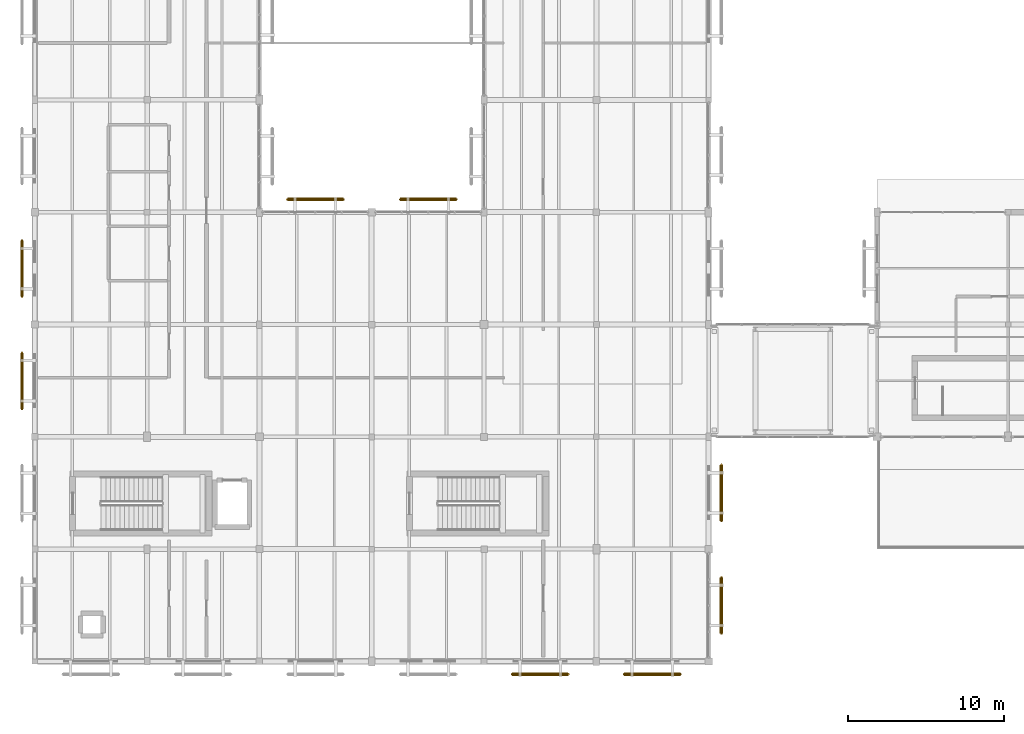
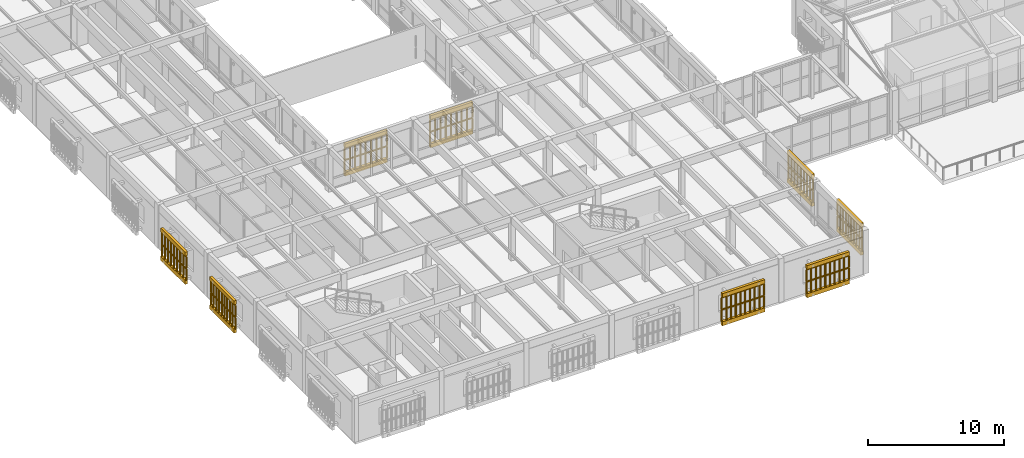
# One storey, part 97 of 112: 16 coverings, 16 railings.
"""IFC4 building model written with IfcOpenShell, lengths in metres."""

from ifc_helpers import new_model, si_unit, direction, frame, origin, origin_2d, place, context, subcontext, project, spatial, polyline, circle, outline, extrude, material, layer, layer_set, type_object, element, save


model = new_model("IFC4")

# Units and contexts
model_context = context("Model", 3, precision=1e-05, world=origin(), true_north=direction((0.0, 1.0)))
body_context = subcontext(model_context, "Body", "Model", "MODEL_VIEW")
ifc_project = project(units=[si_unit("LENGTHUNIT", "METRE"), si_unit("AREAUNIT", "SQUARE_METRE"), si_unit("VOLUMEUNIT", "CUBIC_METRE"), si_unit("PLANEANGLEUNIT", "RADIAN"), si_unit("MASSUNIT", "GRAM", prefix="KILO")], contexts=[model_context])

# Site, building, storey
site_placement = place(None, origin())
site = spatial("IfcSite", under=ifc_project, at=site_placement, CompositionType="ELEMENT")
building_placement = place(site_placement, origin())
building = spatial("IfcBuilding", under=site, at=building_placement, Name="Mazaris Harbour Polytechnic", CompositionType="ELEMENT")
storey_placement = place(building_placement, frame((0.0, 0.0, 13.800048828125)))
storey = spatial("IfcBuildingStorey", under=building, at=storey_placement, Name="L03", CompositionType="ELEMENT", Elevation=13.800048828125)

# Railings
ifc_material_1 = material(Name="Perforated Earth-Coloured Terracotta Block", Category="masonry")
railing_type = type_object("IfcRailingType", Name="Perforated Earth-Block Claustra Lattice 1040", PredefinedType="BALUSTRADE", material=ifc_material_1)
for number, where, name in (
    (1, (34.195068359375, 6.3798828125, 0.52001953125), "V4 L03 Lower Perforated Terracotta Block Screen 251"),
    (2, (34.195068359375, 6.3798828125, 1.60986328125), "V4 L03 Upper Perforated Terracotta Block Screen 251"),
    (3, (41.385009765625, 6.3798828125, 0.52001953125), "V4 L03 Lower Perforated Terracotta Block Screen 252"),
    (4, (41.385009765625, 6.3798828125, 1.60986328125), "V4 L03 Upper Perforated Terracotta Block Screen 252"),
):
    element("IfcRailing", number, at=place(storey_placement, frame(where)), inside=storey, type_object=railing_type, Name=name, PredefinedType="BALUSTRADE", context=body_context, shape_type="SweptSolid", body=[
        extrude(circle(Radius=0.06982421875, at=origin_2d()), frame((0.0, 0.0, 1.02001953125), z_axis=(-1.0, 0.0, 0.0), x_axis=(0.0, -1.0, 0.0)), (0.0, 0.0, 1.0), 3.60009765625),
        extrude(circle(Radius=0.074951171875, at=origin_2d()), origin(), (0.0, 0.0, 1.0), 0.9501953125),
        extrude(circle(Radius=0.074951171875, at=origin_2d()), frame((-0.39990234375, 0.0, 0.0)), (0.0, 0.0, 1.0), 0.9501953125),
        extrude(circle(Radius=0.074951171875, at=origin_2d()), frame((-0.800048828125, 0.0, 0.0)), (0.0, 0.0, 1.0), 0.9501953125),
        extrude(circle(Radius=0.074951171875, at=origin_2d()), frame((-1.199951171875, 0.0, 0.0)), (0.0, 0.0, 1.0), 0.9501953125),
        extrude(circle(Radius=0.074951171875, at=origin_2d()), frame((-1.60009765625, 0.0, 0.0)), (0.0, 0.0, 1.0), 0.9501953125),
        extrude(circle(Radius=0.074951171875, at=origin_2d()), frame((-2.0, 0.0, 0.0)), (0.0, 0.0, 1.0), 0.9501953125),
        extrude(circle(Radius=0.074951171875, at=origin_2d()), frame((-2.400146484375, 0.0, 0.0)), (0.0, 0.0, 1.0), 0.9501953125),
        extrude(circle(Radius=0.074951171875, at=origin_2d()), frame((-2.800048828125, 0.0, 0.0)), (0.0, 0.0, 1.0), 0.9501953125),
        extrude(circle(Radius=0.074951171875, at=origin_2d()), frame((-3.2001953125, 0.0, 0.0)), (0.0, 0.0, 1.0), 0.9501953125),
        extrude(circle(Radius=0.074951171875, at=origin_2d()), frame((-3.60009765625, 0.0, 0.0)), (0.0, 0.0, 1.0), 0.9501953125),
    ])
for number, where, name in (
    (5, (-0.820068359375, 23.389892578125, 0.52001953125), "V4 L03 Lower Perforated Terracotta Block Screen 261"),
    (6, (-0.820068359375, 23.389892578125, 1.60986328125), "V4 L03 Upper Perforated Terracotta Block Screen 261"),
):
    element("IfcRailing", number, at=place(storey_placement, frame(where)), inside=storey, type_object=railing_type, Name=name, PredefinedType="BALUSTRADE", context=body_context, shape_type="SweptSolid", body=[
        extrude(circle(Radius=0.06982421875, at=origin_2d()), frame((0.0, 0.0, 1.02001953125), z_axis=(0.0, 1.0, 0.0), x_axis=(-1.0, 0.0, 0.0)), (0.0, 0.0, 1.0), 3.60009765625),
        extrude(circle(Radius=0.074951171875, at=origin_2d()), origin(), (0.0, 0.0, 1.0), 0.9501953125),
        extrude(circle(Radius=0.074951171875, at=origin_2d()), frame((0.0, 0.39990234375, 0.0)), (0.0, 0.0, 1.0), 0.9501953125),
        extrude(circle(Radius=0.074951171875, at=origin_2d()), frame((0.0, 0.800048828125, 0.0)), (0.0, 0.0, 1.0), 0.9501953125),
        extrude(circle(Radius=0.074951171875, at=origin_2d()), frame((0.0, 1.199951171875, 0.0)), (0.0, 0.0, 1.0), 0.9501953125),
        extrude(circle(Radius=0.074951171875, at=origin_2d()), frame((0.0, 1.60009765625, 0.0)), (0.0, 0.0, 1.0), 0.9501953125),
        extrude(circle(Radius=0.074951171875, at=origin_2d()), frame((0.0, 2.0, 0.0)), (0.0, 0.0, 1.0), 0.9501953125),
        extrude(circle(Radius=0.074951171875, at=origin_2d()), frame((0.0, 2.400146484375, 0.0)), (0.0, 0.0, 1.0), 0.9501953125),
        extrude(circle(Radius=0.074951171875, at=origin_2d()), frame((0.0, 2.800048828125, 0.0)), (0.0, 0.0, 1.0), 0.9501953125),
        extrude(circle(Radius=0.074951171875, at=origin_2d()), frame((0.0, 3.2001953125, 0.0)), (0.0, 0.0, 1.0), 0.9501953125),
        extrude(circle(Radius=0.074951171875, at=origin_2d()), frame((0.0, 3.60009765625, 0.0)), (0.0, 0.0, 1.0), 0.9501953125),
    ])
for number, where, name in (
    (7, (-0.820068359375, 30.590087890625, 0.52001953125), "V4 L03 Lower Perforated Terracotta Block Screen 262"),
    (8, (-0.820068359375, 30.590087890625, 1.60986328125), "V4 L03 Upper Perforated Terracotta Block Screen 262"),
):
    element("IfcRailing", number, at=place(storey_placement, frame(where)), inside=storey, type_object=railing_type, Name=name, PredefinedType="BALUSTRADE", context=body_context, shape_type="SweptSolid", body=[
        extrude(circle(Radius=0.06982421875, at=origin_2d()), frame((0.0, 0.0, 1.02001953125), z_axis=(0.0, 1.0, 0.0), x_axis=(-1.0, 0.0, 0.0)), (0.0, 0.0, 1.0), 3.599853515625),
        extrude(circle(Radius=0.074951171875, at=origin_2d()), origin(), (0.0, 0.0, 1.0), 0.9501953125),
        extrude(circle(Radius=0.074951171875, at=origin_2d()), frame((0.0, 0.449951171875, 0.0)), (0.0, 0.0, 1.0), 0.9501953125),
        extrude(circle(Radius=0.074951171875, at=origin_2d()), frame((0.0, 0.89990234375, 0.0)), (0.0, 0.0, 1.0), 0.9501953125),
        extrude(circle(Radius=0.074951171875, at=origin_2d()), frame((0.0, 1.349853515625, 0.0)), (0.0, 0.0, 1.0), 0.9501953125),
        extrude(circle(Radius=0.074951171875, at=origin_2d()), frame((0.0, 1.7998046875, 0.0)), (0.0, 0.0, 1.0), 0.9501953125),
        extrude(circle(Radius=0.074951171875, at=origin_2d()), frame((0.0, 2.25, 0.0)), (0.0, 0.0, 1.0), 0.9501953125),
        extrude(circle(Radius=0.074951171875, at=origin_2d()), frame((0.0, 2.699951171875, 0.0)), (0.0, 0.0, 1.0), 0.9501953125),
        extrude(circle(Radius=0.074951171875, at=origin_2d()), frame((0.0, 3.14990234375, 0.0)), (0.0, 0.0, 1.0), 0.9501953125),
        extrude(circle(Radius=0.074951171875, at=origin_2d()), frame((0.0, 3.599853515625, 0.0)), (0.0, 0.0, 1.0), 0.9501953125),
    ])
for number, where, name in (
    (9, (44.02001953125, 12.590087890625, 0.52001953125), "V4 L03 Lower Perforated Terracotta Block Screen 271"),
    (10, (44.02001953125, 12.590087890625, 1.60986328125), "V4 L03 Upper Perforated Terracotta Block Screen 271"),
):
    element("IfcRailing", number, at=place(storey_placement, frame(where)), inside=storey, type_object=railing_type, Name=name, PredefinedType="BALUSTRADE", context=body_context, shape_type="SweptSolid", body=[
        extrude(circle(Radius=0.06982421875, at=origin_2d()), frame((0.0, 0.0, 1.02001953125), z_axis=(0.0, -1.0, 0.0), x_axis=(1.0, 0.0, 0.0)), (0.0, 0.0, 1.0), 3.60009765625),
        extrude(circle(Radius=0.074951171875, at=origin_2d()), origin(), (0.0, 0.0, 1.0), 0.9501953125),
        extrude(circle(Radius=0.074951171875, at=origin_2d()), frame((0.0, -0.39990234375, 0.0)), (0.0, 0.0, 1.0), 0.9501953125),
        extrude(circle(Radius=0.074951171875, at=origin_2d()), frame((0.0, -0.800048828125, 0.0)), (0.0, 0.0, 1.0), 0.9501953125),
        extrude(circle(Radius=0.074951171875, at=origin_2d()), frame((0.0, -1.199951171875, 0.0)), (0.0, 0.0, 1.0), 0.9501953125),
        extrude(circle(Radius=0.074951171875, at=origin_2d()), frame((0.0, -1.60009765625, 0.0)), (0.0, 0.0, 1.0), 0.9501953125),
        extrude(circle(Radius=0.074951171875, at=origin_2d()), frame((0.0, -2.0, 0.0)), (0.0, 0.0, 1.0), 0.9501953125),
        extrude(circle(Radius=0.074951171875, at=origin_2d()), frame((0.0, -2.400146484375, 0.0)), (0.0, 0.0, 1.0), 0.9501953125),
        extrude(circle(Radius=0.074951171875, at=origin_2d()), frame((0.0, -2.800048828125, 0.0)), (0.0, 0.0, 1.0), 0.9501953125),
        extrude(circle(Radius=0.074951171875, at=origin_2d()), frame((0.0, -3.2001953125, 0.0)), (0.0, 0.0, 1.0), 0.9501953125),
        extrude(circle(Radius=0.074951171875, at=origin_2d()), frame((0.0, -3.60009765625, 0.0)), (0.0, 0.0, 1.0), 0.9501953125),
    ])
for number, where, name in (
    (11, (44.02001953125, 19.804931640625, 0.52001953125), "V4 L03 Lower Perforated Terracotta Block Screen 272"),
    (12, (44.02001953125, 19.804931640625, 1.60986328125), "V4 L03 Upper Perforated Terracotta Block Screen 272"),
):
    element("IfcRailing", number, at=place(storey_placement, frame(where)), inside=storey, type_object=railing_type, Name=name, PredefinedType="BALUSTRADE", context=body_context, shape_type="SweptSolid", body=[
        extrude(circle(Radius=0.06982421875, at=origin_2d()), frame((0.0, 0.0, 1.02001953125), z_axis=(0.0, -1.0, 0.0), x_axis=(1.0, 0.0, 0.0)), (0.0, 0.0, 1.0), 3.599853515625),
        extrude(circle(Radius=0.074951171875, at=origin_2d()), origin(), (0.0, 0.0, 1.0), 0.9501953125),
        extrude(circle(Radius=0.074951171875, at=origin_2d()), frame((0.0, -0.449951171875, 0.0)), (0.0, 0.0, 1.0), 0.9501953125),
        extrude(circle(Radius=0.074951171875, at=origin_2d()), frame((0.0, -0.89990234375, 0.0)), (0.0, 0.0, 1.0), 0.9501953125),
        extrude(circle(Radius=0.074951171875, at=origin_2d()), frame((0.0, -1.349853515625, 0.0)), (0.0, 0.0, 1.0), 0.9501953125),
        extrude(circle(Radius=0.074951171875, at=origin_2d()), frame((0.0, -1.7998046875, 0.0)), (0.0, 0.0, 1.0), 0.9501953125),
        extrude(circle(Radius=0.074951171875, at=origin_2d()), frame((0.0, -2.25, 0.0)), (0.0, 0.0, 1.0), 0.9501953125),
        extrude(circle(Radius=0.074951171875, at=origin_2d()), frame((0.0, -2.699951171875, 0.0)), (0.0, 0.0, 1.0), 0.9501953125),
        extrude(circle(Radius=0.074951171875, at=origin_2d()), frame((0.0, -3.14990234375, 0.0)), (0.0, 0.0, 1.0), 0.9501953125),
        extrude(circle(Radius=0.074951171875, at=origin_2d()), frame((0.0, -3.599853515625, 0.0)), (0.0, 0.0, 1.0), 0.9501953125),
    ])
for number, where, name in (
    (13, (16.18505859375, 36.820068359375, 0.52001953125), "V4 L03 Lower Perforated Terracotta Block Screen 282"),
    (14, (16.18505859375, 36.820068359375, 1.60986328125), "V4 L03 Upper Perforated Terracotta Block Screen 282"),
    (15, (23.425048828125, 36.820068359375, 0.52001953125), "V4 L03 Lower Perforated Terracotta Block Screen 283"),
    (16, (23.425048828125, 36.820068359375, 1.60986328125), "V4 L03 Upper Perforated Terracotta Block Screen 283"),
):
    element("IfcRailing", number, at=place(storey_placement, frame(where)), inside=storey, type_object=railing_type, Name=name, PredefinedType="BALUSTRADE", context=body_context, shape_type="SweptSolid", body=[
        extrude(circle(Radius=0.06982421875, at=origin_2d()), frame((0.0, 0.0, 1.02001953125), z_axis=(1.0, 0.0, 0.0), x_axis=(0.0, 1.0, 0.0)), (0.0, 0.0, 1.0), 3.599853515625),
        extrude(circle(Radius=0.074951171875, at=origin_2d()), origin(), (0.0, 0.0, 1.0), 0.9501953125),
        extrude(circle(Radius=0.074951171875, at=origin_2d()), frame((0.449951171875, 0.0, 0.0)), (0.0, 0.0, 1.0), 0.9501953125),
        extrude(circle(Radius=0.074951171875, at=origin_2d()), frame((0.89990234375, 0.0, 0.0)), (0.0, 0.0, 1.0), 0.9501953125),
        extrude(circle(Radius=0.074951171875, at=origin_2d()), frame((1.349853515625, 0.0, 0.0)), (0.0, 0.0, 1.0), 0.9501953125),
        extrude(circle(Radius=0.074951171875, at=origin_2d()), frame((1.7998046875, 0.0, 0.0)), (0.0, 0.0, 1.0), 0.9501953125),
        extrude(circle(Radius=0.074951171875, at=origin_2d()), frame((2.25, 0.0, 0.0)), (0.0, 0.0, 1.0), 0.9501953125),
        extrude(circle(Radius=0.074951171875, at=origin_2d()), frame((2.699951171875, 0.0, 0.0)), (0.0, 0.0, 1.0), 0.9501953125),
        extrude(circle(Radius=0.074951171875, at=origin_2d()), frame((3.14990234375, 0.0, 0.0)), (0.0, 0.0, 1.0), 0.9501953125),
        extrude(circle(Radius=0.074951171875, at=origin_2d()), frame((3.599853515625, 0.0, 0.0)), (0.0, 0.0, 1.0), 0.9501953125),
    ])

# Coverings
ifc_material_2 = material(Name="Perforated Earth-Coloured Terracotta Block", Category="masonry")
ifc_layer = layer(ifc_material_2, 0.219970703125, Name="Perforated Earth-Coloured Terracotta Block")
ifc_layer_set = layer_set([ifc_layer], Name="Perforated Earth-Coloured Terracotta Block")
covering_type = type_object("IfcCoveringType", Name="Terracotta Screen Course Cladding 220", PredefinedType="CLADDING", material=ifc_layer_set)
covering_1_placement = place(storey_placement, frame((0.0, 0.0, 0.159912109375)))
element("IfcCovering", 17, at=covering_1_placement, inside=storey, type_object=covering_type, Name="V4 L03 Perforated Screen Sill Course 251", PredefinedType="CLADDING", context=body_context, shape_type="SweptSolid", body=[
    extrude(outline(polyline([(34.195068359375, 6.489990234375), (30.594970703125, 6.489990234375), (30.594970703125, 6.27001953125), (34.195068359375, 6.27001953125), (34.195068359375, 6.489990234375)])), origin(), (0.0, 0.0, 1.0), 0.360107421875),
])
covering_2_placement = place(storey_placement, frame((0.0, 0.0, 2.699951171875)))
element("IfcCovering", 18, at=covering_2_placement, inside=storey, type_object=covering_type, Name="V4 L03 Perforated Screen Lintel Course 251", PredefinedType="CLADDING", context=body_context, shape_type="SweptSolid", body=[
    extrude(outline(polyline([(34.195068359375, 6.489990234375), (30.594970703125, 6.489990234375), (30.594970703125, 6.27001953125), (34.195068359375, 6.27001953125), (34.195068359375, 6.489990234375)])), origin(), (0.0, 0.0, 1.0), 0.340087890625),
])
covering_3_placement = place(storey_placement, frame((0.0, 0.0, 0.159912109375)))
element("IfcCovering", 19, at=covering_3_placement, inside=storey, type_object=covering_type, Name="V4 L03 Perforated Screen Sill Course 252", PredefinedType="CLADDING", context=body_context, shape_type="SweptSolid", body=[
    extrude(outline(polyline([(41.385009765625, 6.489990234375), (37.784912109375, 6.489990234375), (37.784912109375, 6.27001953125), (41.385009765625, 6.27001953125), (41.385009765625, 6.489990234375)])), origin(), (0.0, 0.0, 1.0), 0.360107421875),
])
covering_4_placement = place(storey_placement, frame((0.0, 0.0, 2.699951171875)))
element("IfcCovering", 20, at=covering_4_placement, inside=storey, type_object=covering_type, Name="V4 L03 Perforated Screen Lintel Course 252", PredefinedType="CLADDING", context=body_context, shape_type="SweptSolid", body=[
    extrude(outline(polyline([(41.385009765625, 6.489990234375), (37.784912109375, 6.489990234375), (37.784912109375, 6.27001953125), (41.385009765625, 6.27001953125), (41.385009765625, 6.489990234375)])), origin(), (0.0, 0.0, 1.0), 0.340087890625),
])
covering_5_placement = place(storey_placement, frame((0.0, 0.0, 0.159912109375)))
element("IfcCovering", 21, at=covering_5_placement, inside=storey, type_object=covering_type, Name="V4 L03 Perforated Screen Sill Course 261", PredefinedType="CLADDING", context=body_context, shape_type="SweptSolid", body=[
    extrude(outline(polyline([(-0.7099609375, 23.389892578125), (-0.7099609375, 26.989990234375), (-0.929931640625, 26.989990234375), (-0.929931640625, 23.389892578125), (-0.7099609375, 23.389892578125)])), origin(), (0.0, 0.0, 1.0), 0.360107421875),
])
covering_6_placement = place(storey_placement, frame((0.0, 0.0, 2.699951171875)))
element("IfcCovering", 22, at=covering_6_placement, inside=storey, type_object=covering_type, Name="V4 L03 Perforated Screen Lintel Course 261", PredefinedType="CLADDING", context=body_context, shape_type="SweptSolid", body=[
    extrude(outline(polyline([(-0.7099609375, 23.389892578125), (-0.7099609375, 26.989990234375), (-0.929931640625, 26.989990234375), (-0.929931640625, 23.389892578125), (-0.7099609375, 23.389892578125)])), origin(), (0.0, 0.0, 1.0), 0.340087890625),
])
covering_7_placement = place(storey_placement, frame((0.0, 0.0, 0.159912109375)))
element("IfcCovering", 23, at=covering_7_placement, inside=storey, type_object=covering_type, Name="V4 L03 Perforated Screen Sill Course 262", PredefinedType="CLADDING", context=body_context, shape_type="SweptSolid", body=[
    extrude(outline(polyline([(-0.7099609375, 30.590087890625), (-0.7099609375, 34.18994140625), (-0.929931640625, 34.18994140625), (-0.929931640625, 30.590087890625), (-0.7099609375, 30.590087890625)])), origin(), (0.0, 0.0, 1.0), 0.360107421875),
])
covering_8_placement = place(storey_placement, frame((0.0, 0.0, 2.699951171875)))
element("IfcCovering", 24, at=covering_8_placement, inside=storey, type_object=covering_type, Name="V4 L03 Perforated Screen Lintel Course 262", PredefinedType="CLADDING", context=body_context, shape_type="SweptSolid", body=[
    extrude(outline(polyline([(-0.7099609375, 30.590087890625), (-0.7099609375, 34.18994140625), (-0.929931640625, 34.18994140625), (-0.929931640625, 30.590087890625), (-0.7099609375, 30.590087890625)])), origin(), (0.0, 0.0, 1.0), 0.340087890625),
])
covering_9_placement = place(storey_placement, frame((0.0, 0.0, 0.159912109375)))
element("IfcCovering", 25, at=covering_9_placement, inside=storey, type_object=covering_type, Name="V4 L03 Perforated Screen Sill Course 271", PredefinedType="CLADDING", context=body_context, shape_type="SweptSolid", body=[
    extrude(outline(polyline([(43.909912109375, 12.590087890625), (43.909912109375, 8.989990234375), (44.1298828125, 8.989990234375), (44.1298828125, 12.590087890625), (43.909912109375, 12.590087890625)])), origin(), (0.0, 0.0, 1.0), 0.360107421875),
])
covering_10_placement = place(storey_placement, frame((0.0, 0.0, 2.699951171875)))
element("IfcCovering", 26, at=covering_10_placement, inside=storey, type_object=covering_type, Name="V4 L03 Perforated Screen Lintel Course 271", PredefinedType="CLADDING", context=body_context, shape_type="SweptSolid", body=[
    extrude(outline(polyline([(43.909912109375, 12.590087890625), (43.909912109375, 8.989990234375), (44.1298828125, 8.989990234375), (44.1298828125, 12.590087890625), (43.909912109375, 12.590087890625)])), origin(), (0.0, 0.0, 1.0), 0.340087890625),
])
covering_11_placement = place(storey_placement, frame((0.0, 0.0, 0.159912109375)))
element("IfcCovering", 27, at=covering_11_placement, inside=storey, type_object=covering_type, Name="V4 L03 Perforated Screen Sill Course 272", PredefinedType="CLADDING", context=body_context, shape_type="SweptSolid", body=[
    extrude(outline(polyline([(43.909912109375, 19.804931640625), (43.909912109375, 16.205078125), (44.1298828125, 16.205078125), (44.1298828125, 19.804931640625), (43.909912109375, 19.804931640625)])), origin(), (0.0, 0.0, 1.0), 0.360107421875),
])
covering_12_placement = place(storey_placement, frame((0.0, 0.0, 2.699951171875)))
element("IfcCovering", 28, at=covering_12_placement, inside=storey, type_object=covering_type, Name="V4 L03 Perforated Screen Lintel Course 272", PredefinedType="CLADDING", context=body_context, shape_type="SweptSolid", body=[
    extrude(outline(polyline([(43.909912109375, 19.804931640625), (43.909912109375, 16.205078125), (44.1298828125, 16.205078125), (44.1298828125, 19.804931640625), (43.909912109375, 19.804931640625)])), origin(), (0.0, 0.0, 1.0), 0.340087890625),
])
covering_13_placement = place(storey_placement, frame((0.0, 0.0, 0.159912109375)))
element("IfcCovering", 29, at=covering_13_placement, inside=storey, type_object=covering_type, Name="V4 L03 Perforated Screen Sill Course 282", PredefinedType="CLADDING", context=body_context, shape_type="SweptSolid", body=[
    extrude(outline(polyline([(16.18505859375, 36.7099609375), (19.784912109375, 36.7099609375), (19.784912109375, 36.929931640625), (16.18505859375, 36.929931640625), (16.18505859375, 36.7099609375)])), origin(), (0.0, 0.0, 1.0), 0.360107421875),
])
covering_14_placement = place(storey_placement, frame((0.0, 0.0, 2.699951171875)))
element("IfcCovering", 30, at=covering_14_placement, inside=storey, type_object=covering_type, Name="V4 L03 Perforated Screen Lintel Course 282", PredefinedType="CLADDING", context=body_context, shape_type="SweptSolid", body=[
    extrude(outline(polyline([(16.18505859375, 36.7099609375), (19.784912109375, 36.7099609375), (19.784912109375, 36.929931640625), (16.18505859375, 36.929931640625), (16.18505859375, 36.7099609375)])), origin(), (0.0, 0.0, 1.0), 0.340087890625),
])
covering_15_placement = place(storey_placement, frame((0.0, 0.0, 0.159912109375)))
element("IfcCovering", 31, at=covering_15_placement, inside=storey, type_object=covering_type, Name="V4 L03 Perforated Screen Sill Course 283", PredefinedType="CLADDING", context=body_context, shape_type="SweptSolid", body=[
    extrude(outline(polyline([(23.425048828125, 36.7099609375), (27.02490234375, 36.7099609375), (27.02490234375, 36.929931640625), (23.425048828125, 36.929931640625), (23.425048828125, 36.7099609375)])), origin(), (0.0, 0.0, 1.0), 0.360107421875),
])
covering_16_placement = place(storey_placement, frame((0.0, 0.0, 2.699951171875)))
element("IfcCovering", 32, at=covering_16_placement, inside=storey, type_object=covering_type, Name="V4 L03 Perforated Screen Lintel Course 283", PredefinedType="CLADDING", context=body_context, shape_type="SweptSolid", body=[
    extrude(outline(polyline([(23.425048828125, 36.7099609375), (27.02490234375, 36.7099609375), (27.02490234375, 36.929931640625), (23.425048828125, 36.929931640625), (23.425048828125, 36.7099609375)])), origin(), (0.0, 0.0, 1.0), 0.340087890625),
])

save(model, "model.ifc")
